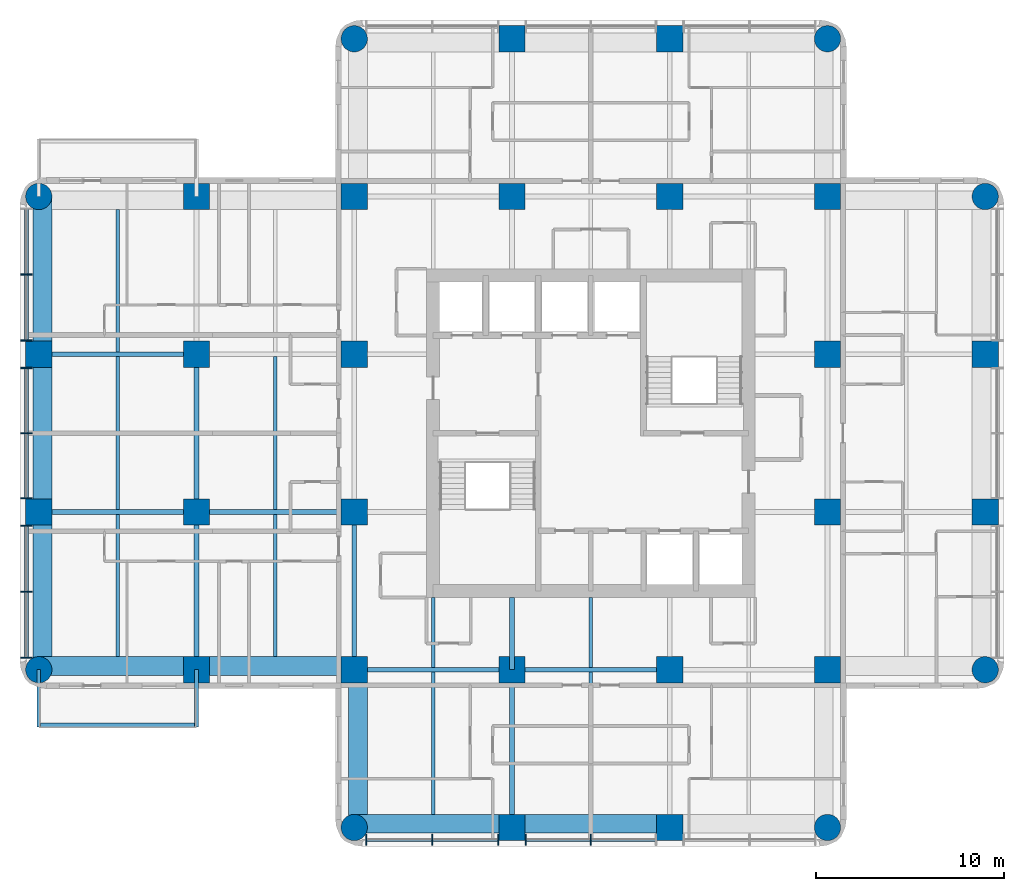
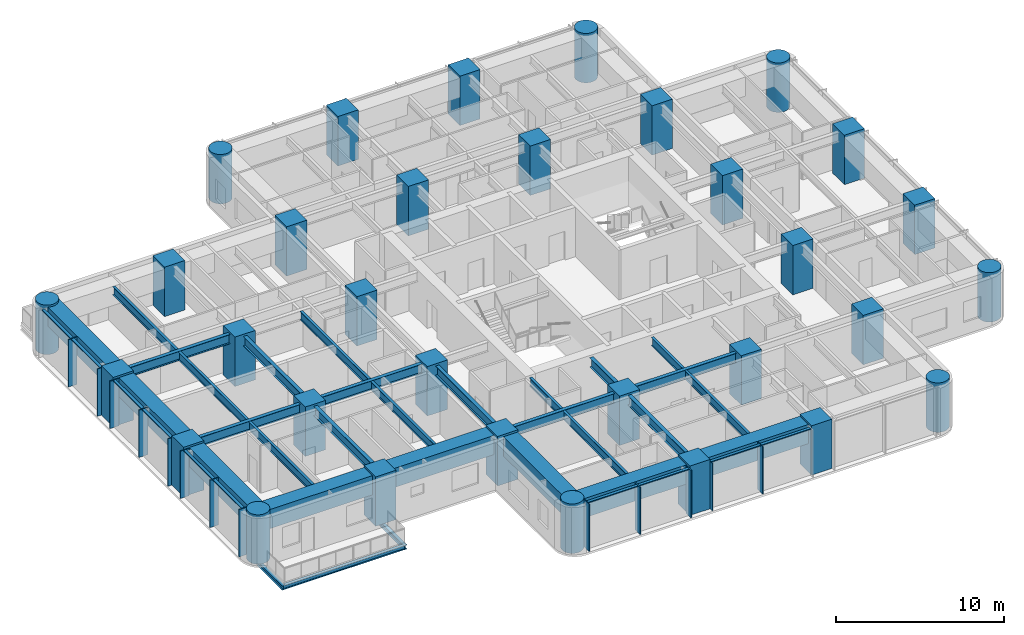
# One storey, part 1 of 11: 32 columns, 30 beams, 23 members, 2 elements without a shape of their own.
"""IFC4 building model written with IfcOpenShell, lengths in metres."""

from ifc_helpers import new_model, si_unit, direction, frame, origin, origin_2d, place, context, subcontext, project, spatial, rectangle, circle, i_section, extrude, material, material_profile, profile_set, type_object, element, aggregate, save


model = new_model("IFC4")

# Units and contexts
model_context = context("Model", 3, precision=1e-05, world=origin(), true_north=direction((0.0, 1.0)))
body_context = subcontext(model_context, "Body", "Model", "MODEL_VIEW")
ifc_project = project(units=[si_unit("LENGTHUNIT", "METRE"), si_unit("AREAUNIT", "SQUARE_METRE"), si_unit("VOLUMEUNIT", "CUBIC_METRE"), si_unit("PLANEANGLEUNIT", "RADIAN"), si_unit("MASSUNIT", "GRAM", prefix="KILO")], contexts=[model_context])

# Site, building, storey
site_placement = place(None, origin())
site = spatial("IfcSite", under=ifc_project, at=site_placement, CompositionType="ELEMENT")
building_placement = place(site_placement, origin())
building = spatial("IfcBuilding", under=site, at=building_placement, Name="Torre Alcanfor", CompositionType="ELEMENT")
storey_placement = place(building_placement, frame((0.0, 0.0, 212.10009765625)))
storey = spatial("IfcBuildingStorey", under=building, at=storey_placement, Name="L55", CompositionType="ELEMENT", Elevation=212.10009765625)

# Columns
ifc_material_1 = material(Name="Concrete f'c 70 MPa", Category="concrete")
ifc_material_profile_1 = material_profile(ifc_material_1, rectangle(XDim=1.39990234375, YDim=1.39990234375, at=origin_2d()), Name="1400x1400")
ifc_profile_set_1 = profile_set([ifc_material_profile_1], Name="Concrete f'c 70 MPa")
column_type_1 = type_object("IfcColumnType", Name="RC column 1400x1400 f'c70", PredefinedType="COLUMN", material=ifc_profile_set_1)
for number, where, z_axis, x_axis, name in (
    (1, (0.0, 25.199951171875, 0.0), (0.0, 0.0, 1.0), (1.0, 0.0, 0.0), "Column 1/F L55"),
    (2, (0.0, 33.60009765625, 0.0), (0.0, 0.0, 1.0), (1.0, 0.0, 0.0), "Column 1/G L55"),
    (3, (8.39990234375, 16.800048828125, 0.0), (0.0, 0.0, 1.0), (1.0, 0.0, 0.0), "Column 2/E L55"),
    (4, (8.39990234375, 25.199951171875, 0.0), (0.0, 0.0, 1.0), (1.0, 0.0, 0.0), "Column 2/F L55"),
    (5, (8.39990234375, 33.60009765625, 0.0), (0.0, 0.0, 1.0), (1.0, 0.0, 0.0), "Column 2/G L55"),
    (6, (8.39990234375, 42.0, 0.0), (0.0, 0.0, 1.0), (1.0, 0.0, 0.0), "Column 2/H L55"),
    (7, (16.800048828125, 16.800048828125, 0.0), (0.0, 0.0, 1.0), (1.0, 0.0, 0.0), "Column 3/E L55"),
    (8, (16.800048828125, 25.199951171875, 0.0), (0.0, 0.0, 1.0), (1.0, 0.0, 0.0), "Column 3/F L55"),
    (9, (16.800048828125, 33.60009765625, 0.0), (0.0, 0.0, 1.0), (1.0, 0.0, 0.0), "Column 3/G L55"),
    (10, (16.800048828125, 42.0, 0.0), (0.0, 0.0, 1.0), (1.0, 0.0, 0.0), "Column 3/H L55"),
    (11, (25.199951171875, 8.39990234375, 0.0), (0.0, 0.0, 1.0), (1.0, 0.0, 0.0), "Column 4/D L55"),
    (12, (25.199951171875, 16.800048828125, 0.0), (0.0, 0.0, 1.0), (1.0, 0.0, 0.0), "Column 4/E L55"),
    (13, (25.199951171875, 42.0, 0.0), (0.0, 0.0, 1.0), (1.0, 0.0, 0.0), "Column 4/H L55"),
    (14, (25.199951171875, 50.39990234375, 0.0), (0.0, 0.0, 1.0), (1.0, 0.0, 0.0), "Column 4/J L55"),
    (15, (33.60009765625, 8.39990234375, 0.0), (0.0, 0.0, 1.0), (1.0, 0.0, 0.0), "Column 5/D L55"),
    (16, (33.60009765625, 16.800048828125, 0.0), (0.0, 0.0, 1.0), (1.0, 0.0, 0.0), "Column 5/E L55"),
    (17, (33.60009765625, 42.0, 0.0), (0.0, 0.0, 1.0), (1.0, 0.0, 0.0), "Column 5/H L55"),
    (18, (33.60009765625, 50.39990234375, 0.0), (0.0, 0.0, 1.0), (1.0, 0.0, 0.0), "Column 5/J L55"),
    (19, (42.0, 16.800048828125, 0.0), (0.0, 0.0, 1.0), (1.0, 0.0, 0.0), "Column 6/E L55"),
    (20, (42.0, 25.199951171875, 0.0), (0.0, 0.0, 1.0), (1.0, 0.0, 0.0), "Column 6/F L55"),
    (21, (42.0, 33.60009765625, 0.0), (0.0, 0.0, 1.0), (1.0, 0.0, 0.0), "Column 6/G L55"),
    (22, (42.0, 42.0, 0.0), (0.0, 0.0, 1.0), (1.0, 0.0, 0.0), "Column 6/H L55"),
    (23, (50.39990234375, 25.199951171875, 0.0), (0.0, 0.0, 1.0), (1.0, 0.0, 0.0), "Column 7/F L55"),
    (24, (50.39990234375, 33.60009765625, 0.0), (0.0, 0.0, 1.0), (1.0, 0.0, 0.0), "Column 7/G L55"),
):
    element("IfcColumn", number, at=place(storey_placement, frame(where, z_axis=z_axis, x_axis=x_axis)), inside=storey, type_object=column_type_1, Name=name, PredefinedType="COLUMN", context=body_context, shape_type="SweptSolid", body=[
        extrude(rectangle(XDim=1.39990234375, YDim=1.39990234375, at=origin_2d()), origin(), (0.0, 0.0, 1.0), 3.599853515625),
    ])
ifc_material_2 = material(Name="Concrete f'c 70 MPa", Category="concrete")
ifc_material_profile_2 = material_profile(ifc_material_2, circle(Radius=0.699951171875, at=origin_2d()), Name="D1400")
ifc_profile_set_2 = profile_set([ifc_material_profile_2], Name="Concrete f'c 70 MPa")
column_type_2 = type_object("IfcColumnType", Name="RC column D1400 f'c70", PredefinedType="COLUMN", material=ifc_profile_set_2)
for number, where, z_axis, x_axis, name in (
    (25, (0.0, 16.800048828125, 0.0), (0.0, 0.0, 1.0), (1.0, 0.0, 0.0), "Column 1/E L55"),
    (26, (0.0, 42.0, 0.0), (0.0, 0.0, 1.0), (1.0, 0.0, 0.0), "Column 1/H L55"),
    (27, (16.800048828125, 8.39990234375, 0.0), (0.0, 0.0, 1.0), (1.0, 0.0, 0.0), "Column 3/D L55"),
    (28, (16.800048828125, 50.39990234375, 0.0), (0.0, 0.0, 1.0), (1.0, 0.0, 0.0), "Column 3/J L55"),
    (29, (42.0, 8.39990234375, 0.0), (0.0, 0.0, 1.0), (1.0, 0.0, 0.0), "Column 6/D L55"),
    (30, (42.0, 50.39990234375, 0.0), (0.0, 0.0, 1.0), (1.0, 0.0, 0.0), "Column 6/J L55"),
    (31, (50.39990234375, 16.800048828125, 0.0), (0.0, 0.0, 1.0), (1.0, 0.0, 0.0), "Column 7/E L55"),
    (32, (50.39990234375, 42.0, 0.0), (0.0, 0.0, 1.0), (1.0, 0.0, 0.0), "Column 7/H L55"),
):
    element("IfcColumn", number, at=place(storey_placement, frame(where, z_axis=z_axis, x_axis=x_axis)), inside=storey, type_object=column_type_2, Name=name, PredefinedType="COLUMN", context=body_context, shape_type="SweptSolid", body=[
        extrude(circle(Radius=0.699951171875, at=origin_2d()), origin(), (0.0, 0.0, 1.0), 3.599853515625),
    ])

# Beams
ifc_material_3 = material(Name="Steel ASTM A992 Grade 50", Category="steel")
ifc_material_profile_3 = material_profile(ifc_material_3, i_section(OverallWidth=0.205322265625, OverallDepth=0.309814453125, WebThickness=0.00927734375, FlangeThickness=0.016357421875, at=origin_2d()), Name="W12x50")
ifc_profile_set_3 = profile_set([ifc_material_profile_3], Name="Steel ASTM A992 Grade 50")
beam_type_1 = type_object("IfcBeamType", Name="Balcony cantilever beam W12x50", PredefinedType="BEAM", material=ifc_profile_set_3)
for number, where, z_axis, x_axis, name in (
    (33, (8.39990234375, 16.800048828125, -0.35498046875), (0.0, -1.0, 0.0), (1.0, 0.0, 0.0), "Balcony cantilever beam L55-W1 1"),
    (34, (0.0, 16.800048828125, -0.35498046875), (0.0, -1.0, 0.0), (1.0, 0.0, 0.0), "Balcony cantilever beam L55-W1 2"),
):
    element("IfcBeam", number, at=place(storey_placement, frame(where, z_axis=z_axis, x_axis=x_axis)), inside=storey, type_object=beam_type_1, Name=name, PredefinedType="BEAM", context=body_context, shape_type="SweptSolid", body=[
        extrude(i_section(OverallWidth=0.205322265625, OverallDepth=0.309814453125, WebThickness=0.00927734375, FlangeThickness=0.016357421875, at=origin_2d()), origin(), (0.0, 0.0, 1.0), 3.050048828125),
    ])
ifc_material_4 = material(Name="Steel ASTM A992 Grade 50", Category="steel")
ifc_material_profile_4 = material_profile(ifc_material_4, i_section(OverallWidth=0.203369140625, OverallDepth=0.30224609375, WebThickness=0.007568359375, FlangeThickness=0.01318359375, at=origin_2d()), Name="W12x40")
ifc_profile_set_4 = profile_set([ifc_material_profile_4], Name="Steel ASTM A992 Grade 50")
beam_type_2 = type_object("IfcBeamType", Name="Balcony edge trimmer W12x40", PredefinedType="BEAM", material=ifc_profile_set_4)
beam_1_placement = place(storey_placement, frame((8.39990234375, 13.851806640625, -0.351318359375), z_axis=(-1.0, 0.0, 0.0), x_axis=(0.0, -1.0, 0.0)))
element("IfcBeam", 35, at=beam_1_placement, inside=storey, type_object=beam_type_2, Name="Balcony edge trimmer L55-W1", PredefinedType="BEAM", context=body_context, shape_type="SweptSolid", body=[
    extrude(i_section(OverallWidth=0.203369140625, OverallDepth=0.30224609375, WebThickness=0.007568359375, FlangeThickness=0.01318359375, at=origin_2d()), origin(), (0.0, 0.0, 1.0), 8.39990234375),
])

# Curtain wall, members
ifc_material_5 = material(Name="Aluminium and glass", Category="aluminium")
curtain_wall_type = type_object("IfcCurtainWallType", Name="CW-A unitised apartment glazing with vertical FIN", PredefinedType="NOTDEFINED", material=ifc_material_5)
curtain_wall_1_placement = place(storey_placement, origin())
curtain_wall_1 = element("IfcCurtainWall", 36, at=curtain_wall_1_placement, inside=storey, type_object=curtain_wall_type, Name="Curtain wall CW-A L55 2", PredefinedType="NOTDEFINED")
ifc_material_6 = material(Name="Bronze anodised aluminium", Category="aluminium")
ifc_material_profile_5 = material_profile(ifc_material_6, rectangle(XDim=0.60009765625, YDim=0.06494140625, at=origin_2d()), Name="CW-A mullion 65x600")
ifc_profile_set_5 = profile_set([ifc_material_profile_5], Name="Bronze anodised aluminium")
member_type_1 = type_object("IfcMemberType", Name="CW-A mullion with vertical FIN 65x600", PredefinedType="MULLION", material=ifc_profile_set_5)
member_1_placement = place(storey_placement, frame((-0.64990234375, 37.846435546875, 0.0), z_axis=(0.0, 0.0, 1.0), x_axis=(1.0, 0.0, 0.0)))
member_1 = element("IfcMember", 37, at=member_1_placement, type_object=member_type_1, Name="CW-A mullion 1.2", PredefinedType="MULLION", context=body_context, shape_type="SweptSolid", body=[
    extrude(rectangle(XDim=0.60009765625, YDim=0.06494140625, at=origin_2d()), origin(), (0.0, 0.0, 1.0), 3.449951171875),
])
member_2_placement = place(storey_placement, frame((-0.64990234375, 34.33740234375, 0.0), z_axis=(0.0, 0.0, 1.0), x_axis=(1.0, 0.0, 0.0)))
member_2 = element("IfcMember", 38, at=member_2_placement, type_object=member_type_1, Name="CW-A mullion 1.3", PredefinedType="MULLION", context=body_context, shape_type="SweptSolid", body=[
    extrude(rectangle(XDim=0.60009765625, YDim=0.06494140625, at=origin_2d()), origin(), (0.0, 0.0, 1.0), 3.449951171875),
])
member_3_placement = place(storey_placement, frame((-0.64990234375, 32.862548828125, 0.0), z_axis=(0.0, 0.0, 1.0), x_axis=(1.0, 0.0, 0.0)))
member_3 = element("IfcMember", 39, at=member_3_placement, type_object=member_type_1, Name="CW-A mullion 2.1", PredefinedType="MULLION", context=body_context, shape_type="SweptSolid", body=[
    extrude(rectangle(XDim=0.60009765625, YDim=0.06494140625, at=origin_2d()), origin(), (0.0, 0.0, 1.0), 3.449951171875),
])
member_4_placement = place(storey_placement, frame((-0.64990234375, 29.39990234375, 0.0), z_axis=(0.0, 0.0, 1.0), x_axis=(1.0, 0.0, 0.0)))
member_4 = element("IfcMember", 40, at=member_4_placement, type_object=member_type_1, Name="CW-A mullion 2.2", PredefinedType="MULLION", context=body_context, shape_type="SweptSolid", body=[
    extrude(rectangle(XDim=0.60009765625, YDim=0.06494140625, at=origin_2d()), origin(), (0.0, 0.0, 1.0), 3.449951171875),
])
member_5_placement = place(storey_placement, frame((-0.64990234375, 25.9375, 0.0), z_axis=(0.0, 0.0, 1.0), x_axis=(1.0, 0.0, 0.0)))
member_5 = element("IfcMember", 41, at=member_5_placement, type_object=member_type_1, Name="CW-A mullion 2.3", PredefinedType="MULLION", context=body_context, shape_type="SweptSolid", body=[
    extrude(rectangle(XDim=0.60009765625, YDim=0.06494140625, at=origin_2d()), origin(), (0.0, 0.0, 1.0), 3.449951171875),
])
member_6_placement = place(storey_placement, frame((-0.64990234375, 24.46240234375, 0.0), z_axis=(0.0, 0.0, 1.0), x_axis=(1.0, 0.0, 0.0)))
member_6 = element("IfcMember", 42, at=member_6_placement, type_object=member_type_1, Name="CW-A mullion 3.1", PredefinedType="MULLION", context=body_context, shape_type="SweptSolid", body=[
    extrude(rectangle(XDim=0.60009765625, YDim=0.06494140625, at=origin_2d()), origin(), (0.0, 0.0, 1.0), 3.449951171875),
])
member_7_placement = place(storey_placement, frame((-0.64990234375, 20.95361328125, 0.0), z_axis=(0.0, 0.0, 1.0), x_axis=(1.0, 0.0, 0.0)))
member_7 = element("IfcMember", 43, at=member_7_placement, type_object=member_type_1, Name="CW-A mullion 3.2", PredefinedType="MULLION", context=body_context, shape_type="SweptSolid", body=[
    extrude(rectangle(XDim=0.60009765625, YDim=0.06494140625, at=origin_2d()), origin(), (0.0, 0.0, 1.0), 3.449951171875),
])
member_8_placement = place(storey_placement, frame((-0.64990234375, 17.444580078125, 0.0), z_axis=(0.0, 0.0, 1.0), x_axis=(1.0, 0.0, 0.0)))
member_8 = element("IfcMember", 44, at=member_8_placement, type_object=member_type_1, Name="CW-A mullion 3.3", PredefinedType="MULLION", context=body_context, shape_type="SweptSolid", body=[
    extrude(rectangle(XDim=0.60009765625, YDim=0.06494140625, at=origin_2d()), origin(), (0.0, 0.0, 1.0), 3.449951171875),
])

curtain_wall_2_placement = place(storey_placement, origin())
curtain_wall_2 = element("IfcCurtainWall", 45, at=curtain_wall_2_placement, inside=storey, type_object=curtain_wall_type, Name="Curtain wall CW-A L55 5", PredefinedType="NOTDEFINED")
member_9_placement = place(storey_placement, frame((17.444580078125, 7.75, 0.0), z_axis=(0.0, 0.0, 1.0), x_axis=(0.0, 1.0, 0.0)))
member_9 = element("IfcMember", 46, at=member_9_placement, type_object=member_type_1, Name="CW-A mullion 1.1", PredefinedType="MULLION", context=body_context, shape_type="SweptSolid", body=[
    extrude(rectangle(XDim=0.60009765625, YDim=0.06494140625, at=origin_2d()), origin(), (0.0, 0.0, 1.0), 3.449951171875),
])
member_10_placement = place(storey_placement, frame((20.95361328125, 7.75, 0.0), z_axis=(0.0, 0.0, 1.0), x_axis=(0.0, 1.0, 0.0)))
member_10 = element("IfcMember", 47, at=member_10_placement, type_object=member_type_1, Name="CW-A mullion 1.2", PredefinedType="MULLION", context=body_context, shape_type="SweptSolid", body=[
    extrude(rectangle(XDim=0.60009765625, YDim=0.06494140625, at=origin_2d()), origin(), (0.0, 0.0, 1.0), 3.449951171875),
])
member_11_placement = place(storey_placement, frame((24.46240234375, 7.75, 0.0), z_axis=(0.0, 0.0, 1.0), x_axis=(0.0, 1.0, 0.0)))
member_11 = element("IfcMember", 48, at=member_11_placement, type_object=member_type_1, Name="CW-A mullion 1.3", PredefinedType="MULLION", context=body_context, shape_type="SweptSolid", body=[
    extrude(rectangle(XDim=0.60009765625, YDim=0.06494140625, at=origin_2d()), origin(), (0.0, 0.0, 1.0), 3.449951171875),
])
member_12_placement = place(storey_placement, frame((25.9375, 7.75, 0.0), z_axis=(0.0, 0.0, 1.0), x_axis=(0.0, 1.0, 0.0)))
member_12 = element("IfcMember", 49, at=member_12_placement, type_object=member_type_1, Name="CW-A mullion 2.1", PredefinedType="MULLION", context=body_context, shape_type="SweptSolid", body=[
    extrude(rectangle(XDim=0.60009765625, YDim=0.06494140625, at=origin_2d()), origin(), (0.0, 0.0, 1.0), 3.449951171875),
])
member_13_placement = place(storey_placement, frame((29.39990234375, 7.75, 0.0), z_axis=(0.0, 0.0, 1.0), x_axis=(0.0, 1.0, 0.0)))
member_13 = element("IfcMember", 50, at=member_13_placement, type_object=member_type_1, Name="CW-A mullion 2.2", PredefinedType="MULLION", context=body_context, shape_type="SweptSolid", body=[
    extrude(rectangle(XDim=0.60009765625, YDim=0.06494140625, at=origin_2d()), origin(), (0.0, 0.0, 1.0), 3.449951171875),
])

# Member
ifc_material_7 = material(Name="Extruded aluminium", Category="aluminium")
ifc_material_profile_6 = material_profile(ifc_material_7, rectangle(XDim=0.199951171875, YDim=0.06494140625, at=origin_2d()), Name="CW-A transom 200x65")
ifc_profile_set_6 = profile_set([ifc_material_profile_6], Name="Extruded aluminium")
member_type_2 = type_object("IfcMemberType", Name="CW-A transom 65x200", PredefinedType="USERDEFINED", material=ifc_profile_set_6)
member_14_placement = place(storey_placement, frame((-0.64990234375, 41.322998046875, 3.41748046875), z_axis=(0.0, -1.0, 0.0), x_axis=(1.0, 0.0, 0.0)))
member_14 = element("IfcMember", 51, at=member_14_placement, type_object=member_type_2, Name="CW-A transom 1.1.2", ObjectType="TRANSOM", PredefinedType="USERDEFINED", context=body_context, shape_type="SweptSolid", body=[
    extrude(rectangle(XDim=0.199951171875, YDim=0.06494140625, at=origin_2d()), origin(), (0.0, 0.0, 1.0), 3.444091796875),
])

member_15_placement = place(storey_placement, frame((-0.64990234375, 37.81396484375, 3.41748046875), z_axis=(0.0, -1.0, 0.0), x_axis=(1.0, 0.0, 0.0)))
member_15 = element("IfcMember", 52, at=member_15_placement, type_object=member_type_2, Name="CW-A transom 1.2.2", ObjectType="TRANSOM", PredefinedType="USERDEFINED", context=body_context, shape_type="SweptSolid", body=[
    extrude(rectangle(XDim=0.199951171875, YDim=0.06494140625, at=origin_2d()), origin(), (0.0, 0.0, 1.0), 3.44384765625),
])

member_16_placement = place(storey_placement, frame((-0.64990234375, 32.830078125, 3.41748046875), z_axis=(0.0, -1.0, 0.0), x_axis=(1.0, 0.0, 0.0)))
member_16 = element("IfcMember", 53, at=member_16_placement, type_object=member_type_2, Name="CW-A transom 2.1.2", ObjectType="TRANSOM", PredefinedType="USERDEFINED", context=body_context, shape_type="SweptSolid", body=[
    extrude(rectangle(XDim=0.199951171875, YDim=0.06494140625, at=origin_2d()), origin(), (0.0, 0.0, 1.0), 3.3974609375),
])

member_17_placement = place(storey_placement, frame((-0.64990234375, 29.367431640625, 3.41748046875), z_axis=(0.0, -1.0, 0.0), x_axis=(1.0, 0.0, 0.0)))
member_17 = element("IfcMember", 54, at=member_17_placement, type_object=member_type_2, Name="CW-A transom 2.2.2", ObjectType="TRANSOM", PredefinedType="USERDEFINED", context=body_context, shape_type="SweptSolid", body=[
    extrude(rectangle(XDim=0.199951171875, YDim=0.06494140625, at=origin_2d()), origin(), (0.0, 0.0, 1.0), 3.3974609375),
])

member_18_placement = place(storey_placement, frame((-0.64990234375, 24.429931640625, 3.41748046875), z_axis=(0.0, -1.0, 0.0), x_axis=(1.0, 0.0, 0.0)))
member_18 = element("IfcMember", 55, at=member_18_placement, type_object=member_type_2, Name="CW-A transom 3.1.2", ObjectType="TRANSOM", PredefinedType="USERDEFINED", context=body_context, shape_type="SweptSolid", body=[
    extrude(rectangle(XDim=0.199951171875, YDim=0.06494140625, at=origin_2d()), origin(), (0.0, 0.0, 1.0), 3.44384765625),
])

member_19_placement = place(storey_placement, frame((-0.64990234375, 20.9208984375, 3.41748046875), z_axis=(0.0, -1.0, 0.0), x_axis=(1.0, 0.0, 0.0)))
member_19 = element("IfcMember", 56, at=member_19_placement, type_object=member_type_2, Name="CW-A transom 3.2.2", ObjectType="TRANSOM", PredefinedType="USERDEFINED", context=body_context, shape_type="SweptSolid", body=[
    extrude(rectangle(XDim=0.199951171875, YDim=0.06494140625, at=origin_2d()), origin(), (0.0, 0.0, 1.0), 3.44384765625),
])

aggregate(curtain_wall_1, [member_1, member_2, member_14, member_15, member_3, member_4, member_5, member_16, member_17, member_6, member_7, member_8, member_18, member_19])

member_20_placement = place(storey_placement, frame((17.47705078125, 7.75, 3.41748046875), z_axis=(1.0, 0.0, 0.0), x_axis=(0.0, 1.0, 0.0)))
member_20 = element("IfcMember", 57, at=member_20_placement, type_object=member_type_2, Name="CW-A transom 1.1.2", ObjectType="TRANSOM", PredefinedType="USERDEFINED", context=body_context, shape_type="SweptSolid", body=[
    extrude(rectangle(XDim=0.199951171875, YDim=0.06494140625, at=origin_2d()), origin(), (0.0, 0.0, 1.0), 3.44384765625),
])

member_21_placement = place(storey_placement, frame((20.986083984375, 7.75, 3.41748046875), z_axis=(1.0, 0.0, 0.0), x_axis=(0.0, 1.0, 0.0)))
member_21 = element("IfcMember", 58, at=member_21_placement, type_object=member_type_2, Name="CW-A transom 1.2.2", ObjectType="TRANSOM", PredefinedType="USERDEFINED", context=body_context, shape_type="SweptSolid", body=[
    extrude(rectangle(XDim=0.199951171875, YDim=0.06494140625, at=origin_2d()), origin(), (0.0, 0.0, 1.0), 3.44384765625),
])

member_22_placement = place(storey_placement, frame((25.969970703125, 7.75, 3.41748046875), z_axis=(1.0, 0.0, 0.0), x_axis=(0.0, 1.0, 0.0)))
member_22 = element("IfcMember", 59, at=member_22_placement, type_object=member_type_2, Name="CW-A transom 2.1.2", ObjectType="TRANSOM", PredefinedType="USERDEFINED", context=body_context, shape_type="SweptSolid", body=[
    extrude(rectangle(XDim=0.199951171875, YDim=0.06494140625, at=origin_2d()), origin(), (0.0, 0.0, 1.0), 3.3974609375),
])

member_23_placement = place(storey_placement, frame((29.4326171875, 7.75, 3.41748046875), z_axis=(1.0, 0.0, 0.0), x_axis=(0.0, 1.0, 0.0)))
member_23 = element("IfcMember", 60, at=member_23_placement, type_object=member_type_2, Name="CW-A transom 2.2.2", ObjectType="TRANSOM", PredefinedType="USERDEFINED", context=body_context, shape_type="SweptSolid", body=[
    extrude(rectangle(XDim=0.199951171875, YDim=0.06494140625, at=origin_2d()), origin(), (0.0, 0.0, 1.0), 3.3974609375),
])

aggregate(curtain_wall_2, [member_9, member_10, member_11, member_20, member_21, member_12, member_13, member_22, member_23])

# Beams
ifc_material_8 = material(Name="Steel ASTM A992 Grade 50", Category="steel")
ifc_material_profile_7 = material_profile(ifc_material_8, i_section(OverallWidth=0.25390625, OverallDepth=0.683349609375, WebThickness=0.012451171875, FlangeThickness=0.01904296875, at=origin_2d()), Name="W27x94")
ifc_profile_set_7 = profile_set([ifc_material_profile_7], Name="Steel ASTM A992 Grade 50")
beam_type_3 = type_object("IfcBeamType", Name="Girder W27x94", PredefinedType="BEAM", material=ifc_profile_set_7)
beam_2_placement = place(storey_placement, frame((16.800048828125, 16.800048828125, 3.108154296875), z_axis=(1.0, 0.0, 0.0), x_axis=(0.0, 1.0, 0.0)))
element("IfcBeam", 61, at=beam_2_placement, inside=storey, type_object=beam_type_3, Name="Beam 3E-4E under L56", PredefinedType="BEAM", context=body_context, shape_type="SweptSolid", body=[
    extrude(i_section(OverallWidth=0.25390625, OverallDepth=0.683349609375, WebThickness=0.012451171875, FlangeThickness=0.01904296875, at=origin_2d()), origin(), (0.0, 0.0, 1.0), 8.39990234375),
])
beam_3_placement = place(storey_placement, frame((25.199951171875, 16.800048828125, 3.108154296875), z_axis=(1.0, 0.0, 0.0), x_axis=(0.0, 1.0, 0.0)))
element("IfcBeam", 62, at=beam_3_placement, inside=storey, type_object=beam_type_3, Name="Beam 4E-5E under L56", PredefinedType="BEAM", context=body_context, shape_type="SweptSolid", body=[
    extrude(i_section(OverallWidth=0.25390625, OverallDepth=0.683349609375, WebThickness=0.012451171875, FlangeThickness=0.01904296875, at=origin_2d()), origin(), (0.0, 0.0, 1.0), 8.400146484375),
])
beam_4_placement = place(storey_placement, frame((0.0, 25.199951171875, 3.108154296875), z_axis=(1.0, 0.0, 0.0), x_axis=(0.0, 1.0, 0.0)))
element("IfcBeam", 63, at=beam_4_placement, inside=storey, type_object=beam_type_3, Name="Beam 1F-2F under L56", PredefinedType="BEAM", context=body_context, shape_type="SweptSolid", body=[
    extrude(i_section(OverallWidth=0.25390625, OverallDepth=0.683349609375, WebThickness=0.012451171875, FlangeThickness=0.01904296875, at=origin_2d()), origin(), (0.0, 0.0, 1.0), 8.39990234375),
])
beam_5_placement = place(storey_placement, frame((8.39990234375, 25.199951171875, 3.108154296875), z_axis=(1.0, 0.0, 0.0), x_axis=(0.0, 1.0, 0.0)))
element("IfcBeam", 64, at=beam_5_placement, inside=storey, type_object=beam_type_3, Name="Beam 2F-3F under L56", PredefinedType="BEAM", context=body_context, shape_type="SweptSolid", body=[
    extrude(i_section(OverallWidth=0.25390625, OverallDepth=0.683349609375, WebThickness=0.012451171875, FlangeThickness=0.01904296875, at=origin_2d()), origin(), (0.0, 0.0, 1.0), 8.400146484375),
])
for number, where, z_axis, x_axis, name in (
    (65, (0.0, 33.60009765625, 3.108154296875), (1.0, 0.0, 0.0), (0.0, 1.0, 0.0), "Beam 1G-2G under L56"),
    (66, (8.39990234375, 16.800048828125, 3.108154296875), (0.0, 1.0, 0.0), (-1.0, 0.0, 0.0), "Beam 2E-2F under L56"),
):
    element("IfcBeam", number, at=place(storey_placement, frame(where, z_axis=z_axis, x_axis=x_axis)), inside=storey, type_object=beam_type_3, Name=name, PredefinedType="BEAM", context=body_context, shape_type="SweptSolid", body=[
        extrude(i_section(OverallWidth=0.25390625, OverallDepth=0.683349609375, WebThickness=0.012451171875, FlangeThickness=0.01904296875, at=origin_2d()), origin(), (0.0, 0.0, 1.0), 8.39990234375),
    ])
beam_6_placement = place(storey_placement, frame((8.39990234375, 25.199951171875, 3.108154296875), z_axis=(0.0, 1.0, 0.0), x_axis=(-1.0, 0.0, 0.0)))
element("IfcBeam", 67, at=beam_6_placement, inside=storey, type_object=beam_type_3, Name="Beam 2F-2G under L56", PredefinedType="BEAM", context=body_context, shape_type="SweptSolid", body=[
    extrude(i_section(OverallWidth=0.25390625, OverallDepth=0.683349609375, WebThickness=0.012451171875, FlangeThickness=0.01904296875, at=origin_2d()), origin(), (0.0, 0.0, 1.0), 8.400146484375),
])
beam_7_placement = place(storey_placement, frame((16.800048828125, 16.800048828125, 3.108154296875), z_axis=(0.0, 1.0, 0.0), x_axis=(-1.0, 0.0, 0.0)))
element("IfcBeam", 68, at=beam_7_placement, inside=storey, type_object=beam_type_3, Name="Beam 3E-3F under L56", PredefinedType="BEAM", context=body_context, shape_type="SweptSolid", body=[
    extrude(i_section(OverallWidth=0.25390625, OverallDepth=0.683349609375, WebThickness=0.012451171875, FlangeThickness=0.01904296875, at=origin_2d()), origin(), (0.0, 0.0, 1.0), 8.39990234375),
])
beam_8_placement = place(storey_placement, frame((25.199951171875, 8.39990234375, 3.108154296875), z_axis=(0.0, 1.0, 0.0), x_axis=(-1.0, 0.0, 0.0)))
element("IfcBeam", 69, at=beam_8_placement, inside=storey, type_object=beam_type_3, Name="Beam 4D-4E under L56", PredefinedType="BEAM", context=body_context, shape_type="SweptSolid", body=[
    extrude(i_section(OverallWidth=0.25390625, OverallDepth=0.683349609375, WebThickness=0.012451171875, FlangeThickness=0.01904296875, at=origin_2d()), origin(), (0.0, 0.0, 1.0), 8.400146484375),
])
ifc_material_9 = material(Name="Steel ASTM A992 Grade 50", Category="steel")
ifc_material_profile_8 = material_profile(ifc_material_9, i_section(OverallWidth=0.25390625, OverallDepth=0.683349609375, WebThickness=0.012451171875, FlangeThickness=0.01904296875, at=origin_2d()), Name="W27x94")
ifc_profile_set_8 = profile_set([ifc_material_profile_8], Name="Steel ASTM A992 Grade 50")
beam_type_4 = type_object("IfcBeamType", Name="Girder, part bay W27x94", PredefinedType="BEAM", material=ifc_profile_set_8)
beam_9_placement = place(storey_placement, frame((25.199951171875, 16.800048828125, 3.108154296875), z_axis=(0.0, 1.0, 0.0), x_axis=(-1.0, 0.0, 0.0)))
element("IfcBeam", 70, at=beam_9_placement, inside=storey, type_object=beam_type_4, Name="Beam 4E-420_65 under L56", PredefinedType="BEAM", context=body_context, shape_type="SweptSolid", body=[
    extrude(i_section(OverallWidth=0.25390625, OverallDepth=0.683349609375, WebThickness=0.012451171875, FlangeThickness=0.01904296875, at=origin_2d()), origin(), (0.0, 0.0, 1.0), 3.849853515625),
])
ifc_material_10 = material(Name="Concrete f'c 70 MPa", Category="concrete")
ifc_material_profile_9 = material_profile(ifc_material_10, rectangle(XDim=1.0, YDim=1.39990234375, at=origin_2d()), Name="1000x1400")
ifc_profile_set_9 = profile_set([ifc_material_profile_9], Name="Concrete f'c 70 MPa")
beam_type_5 = type_object("IfcBeamType", Name="RC perimeter beam 1000x1400", PredefinedType="BEAM", material=ifc_profile_set_9)
beam_10_placement = place(storey_placement, frame((16.800048828125, 8.60009765625, 2.75), z_axis=(1.0, 0.0, 0.0), x_axis=(0.0, 1.0, 0.0)))
element("IfcBeam", 71, at=beam_10_placement, inside=storey, type_object=beam_type_5, Name="Beam 3D-4D under L56", PredefinedType="BEAM", context=body_context, shape_type="SweptSolid", body=[
    extrude(rectangle(XDim=1.0, YDim=1.39990234375, at=origin_2d()), origin(), (0.0, 0.0, 1.0), 8.27294921875),
])
beam_11_placement = place(storey_placement, frame((25.326904296875, 8.60009765625, 2.75), z_axis=(1.0, 0.0, 0.0), x_axis=(0.0, 1.0, 0.0)))
element("IfcBeam", 72, at=beam_11_placement, inside=storey, type_object=beam_type_5, Name="Beam 4D-5D under L56", PredefinedType="BEAM", context=body_context, shape_type="SweptSolid", body=[
    extrude(rectangle(XDim=1.0, YDim=1.39990234375, at=origin_2d()), origin(), (0.0, 0.0, 1.0), 8.14599609375),
])
beam_12_placement = place(storey_placement, frame((0.0, 17.0, 2.75), z_axis=(1.0, 0.0, 0.0), x_axis=(0.0, 1.0, 0.0)))
element("IfcBeam", 73, at=beam_12_placement, inside=storey, type_object=beam_type_5, Name="Beam 1E-2E under L56", PredefinedType="BEAM", context=body_context, shape_type="SweptSolid", body=[
    extrude(rectangle(XDim=1.0, YDim=1.39990234375, at=origin_2d()), origin(), (0.0, 0.0, 1.0), 8.27294921875),
])
beam_13_placement = place(storey_placement, frame((8.527099609375, 17.0, 2.75), z_axis=(1.0, 0.0, 0.0), x_axis=(0.0, 1.0, 0.0)))
element("IfcBeam", 74, at=beam_13_placement, inside=storey, type_object=beam_type_5, Name="Beam 2E-3E under L56", PredefinedType="BEAM", context=body_context, shape_type="SweptSolid", body=[
    extrude(rectangle(XDim=1.0, YDim=1.39990234375, at=origin_2d()), origin(), (0.0, 0.0, 1.0), 8.14599609375),
])
beam_14_placement = place(storey_placement, frame((0.199951171875, 16.800048828125, 2.75), z_axis=(0.0, 1.0, 0.0), x_axis=(-1.0, 0.0, 0.0)))
element("IfcBeam", 75, at=beam_14_placement, inside=storey, type_object=beam_type_5, Name="Beam 1E-1F under L56", PredefinedType="BEAM", context=body_context, shape_type="SweptSolid", body=[
    extrude(rectangle(XDim=1.0, YDim=1.39990234375, at=origin_2d()), origin(), (0.0, 0.0, 1.0), 8.27294921875),
])
beam_15_placement = place(storey_placement, frame((0.199951171875, 25.326904296875, 2.75), z_axis=(0.0, 1.0, 0.0), x_axis=(-1.0, 0.0, 0.0)))
element("IfcBeam", 76, at=beam_15_placement, inside=storey, type_object=beam_type_5, Name="Beam 1F-1G under L56", PredefinedType="BEAM", context=body_context, shape_type="SweptSolid", body=[
    extrude(rectangle(XDim=1.0, YDim=1.39990234375, at=origin_2d()), origin(), (0.0, 0.0, 1.0), 8.14599609375),
])
beam_16_placement = place(storey_placement, frame((0.199951171875, 33.72705078125, 2.75), z_axis=(0.0, 1.0, 0.0), x_axis=(-1.0, 0.0, 0.0)))
element("IfcBeam", 77, at=beam_16_placement, inside=storey, type_object=beam_type_5, Name="Beam 1G-1H under L56", PredefinedType="BEAM", context=body_context, shape_type="SweptSolid", body=[
    extrude(rectangle(XDim=1.0, YDim=1.39990234375, at=origin_2d()), origin(), (0.0, 0.0, 1.0), 8.27294921875),
])
beam_17_placement = place(storey_placement, frame((17.0, 8.39990234375, 2.75), z_axis=(0.0, 1.0, 0.0), x_axis=(-1.0, 0.0, 0.0)))
element("IfcBeam", 78, at=beam_17_placement, inside=storey, type_object=beam_type_5, Name="Beam 3D-3E under L56", PredefinedType="BEAM", context=body_context, shape_type="SweptSolid", body=[
    extrude(rectangle(XDim=1.0, YDim=1.39990234375, at=origin_2d()), origin(), (0.0, 0.0, 1.0), 8.273193359375),
])
ifc_material_11 = material(Name="Steel ASTM A992 Grade 50", Category="steel")
ifc_material_profile_10 = material_profile(ifc_material_11, i_section(OverallWidth=0.1787109375, OverallDepth=0.60205078125, WebThickness=0.010986328125, FlangeThickness=0.014892578125, at=origin_2d()), Name="W24x62")
ifc_profile_set_10 = profile_set([ifc_material_profile_10], Name="Steel ASTM A992 Grade 50")
beam_type_6 = type_object("IfcBeamType", Name="Secondary beam W24x62", PredefinedType="BEAM", material=ifc_profile_set_10)
beam_18_placement = place(storey_placement, frame((4.199951171875, 17.5, 3.14892578125), z_axis=(0.0, 1.0, 0.0), x_axis=(-1.0, 0.0, 0.0)))
element("IfcBeam", 79, at=beam_18_placement, inside=storey, type_object=beam_type_6, Name="Beam 4_2E-4_2F under L56", PredefinedType="BEAM", context=body_context, shape_type="SweptSolid", body=[
    extrude(i_section(OverallWidth=0.1787109375, OverallDepth=0.60205078125, WebThickness=0.010986328125, FlangeThickness=0.014892578125, at=origin_2d()), origin(), (0.0, 0.0, 1.0), 7.572998046875),
])
beam_19_placement = place(storey_placement, frame((4.199951171875, 25.326904296875, 3.14892578125), z_axis=(0.0, 1.0, 0.0), x_axis=(-1.0, 0.0, 0.0)))
element("IfcBeam", 80, at=beam_19_placement, inside=storey, type_object=beam_type_6, Name="Beam 4_2F-4_2G under L56", PredefinedType="BEAM", context=body_context, shape_type="SweptSolid", body=[
    extrude(i_section(OverallWidth=0.1787109375, OverallDepth=0.60205078125, WebThickness=0.010986328125, FlangeThickness=0.014892578125, at=origin_2d()), origin(), (0.0, 0.0, 1.0), 8.14599609375),
])
for number, where, z_axis, x_axis, name in (
    (81, (4.199951171875, 33.72705078125, 3.14892578125), (0.0, 1.0, 0.0), (-1.0, 0.0, 0.0), "Beam 4_2G-4_2H under L56"),
    (82, (12.60009765625, 17.5, 3.14892578125), (0.0, 1.0, 0.0), (-1.0, 0.0, 0.0), "Beam 12_6E-12_6F under L56"),
):
    element("IfcBeam", number, at=place(storey_placement, frame(where, z_axis=z_axis, x_axis=x_axis)), inside=storey, type_object=beam_type_6, Name=name, PredefinedType="BEAM", context=body_context, shape_type="SweptSolid", body=[
        extrude(i_section(OverallWidth=0.1787109375, OverallDepth=0.60205078125, WebThickness=0.010986328125, FlangeThickness=0.014892578125, at=origin_2d()), origin(), (0.0, 0.0, 1.0), 7.572998046875),
    ])
beam_20_placement = place(storey_placement, frame((12.60009765625, 25.326904296875, 3.14892578125), z_axis=(0.0, 1.0, 0.0), x_axis=(-1.0, 0.0, 0.0)))
element("IfcBeam", 83, at=beam_20_placement, inside=storey, type_object=beam_type_6, Name="Beam 12_6F-12_6G under L56", PredefinedType="BEAM", context=body_context, shape_type="SweptSolid", body=[
    extrude(i_section(OverallWidth=0.1787109375, OverallDepth=0.60205078125, WebThickness=0.010986328125, FlangeThickness=0.014892578125, at=origin_2d()), origin(), (0.0, 0.0, 1.0), 8.14599609375),
])
for number, where, z_axis, x_axis, name in (
    (84, (21.0, 9.10009765625, 3.14892578125), (0.0, 1.0, 0.0), (-1.0, 0.0, 0.0), "Beam 21D-21E under L56"),
    (85, (29.39990234375, 9.10009765625, 3.14892578125), (0.0, 1.0, 0.0), (-1.0, 0.0, 0.0), "Beam 29_4D-29_4E under L56"),
):
    element("IfcBeam", number, at=place(storey_placement, frame(where, z_axis=z_axis, x_axis=x_axis)), inside=storey, type_object=beam_type_6, Name=name, PredefinedType="BEAM", context=body_context, shape_type="SweptSolid", body=[
        extrude(i_section(OverallWidth=0.1787109375, OverallDepth=0.60205078125, WebThickness=0.010986328125, FlangeThickness=0.014892578125, at=origin_2d()), origin(), (0.0, 0.0, 1.0), 7.572998046875),
    ])
ifc_material_12 = material(Name="Steel ASTM A992 Grade 50", Category="steel")
ifc_material_profile_11 = material_profile(ifc_material_12, i_section(OverallWidth=0.1787109375, OverallDepth=0.60205078125, WebThickness=0.010986328125, FlangeThickness=0.014892578125, at=origin_2d()), Name="W24x62")
ifc_profile_set_11 = profile_set([ifc_material_profile_11], Name="Steel ASTM A992 Grade 50")
beam_type_7 = type_object("IfcBeamType", Name="Secondary beam, part bay W24x62", PredefinedType="BEAM", material=ifc_profile_set_11)
for number, where, z_axis, x_axis, name in (
    (86, (21.0, 16.927001953125, 3.14892578125), (0.0, 1.0, 0.0), (-1.0, 0.0, 0.0), "Beam 21E-2120_65 under L56"),
    (87, (29.39990234375, 16.927001953125, 3.14892578125), (0.0, 1.0, 0.0), (-1.0, 0.0, 0.0), "Beam 29_4E-29_420_65 under L56"),
):
    element("IfcBeam", number, at=place(storey_placement, frame(where, z_axis=z_axis, x_axis=x_axis)), inside=storey, type_object=beam_type_7, Name=name, PredefinedType="BEAM", context=body_context, shape_type="SweptSolid", body=[
        extrude(i_section(OverallWidth=0.1787109375, OverallDepth=0.60205078125, WebThickness=0.010986328125, FlangeThickness=0.014892578125, at=origin_2d()), origin(), (0.0, 0.0, 1.0), 3.722900390625),
    ])

save(model, "model.ifc")
